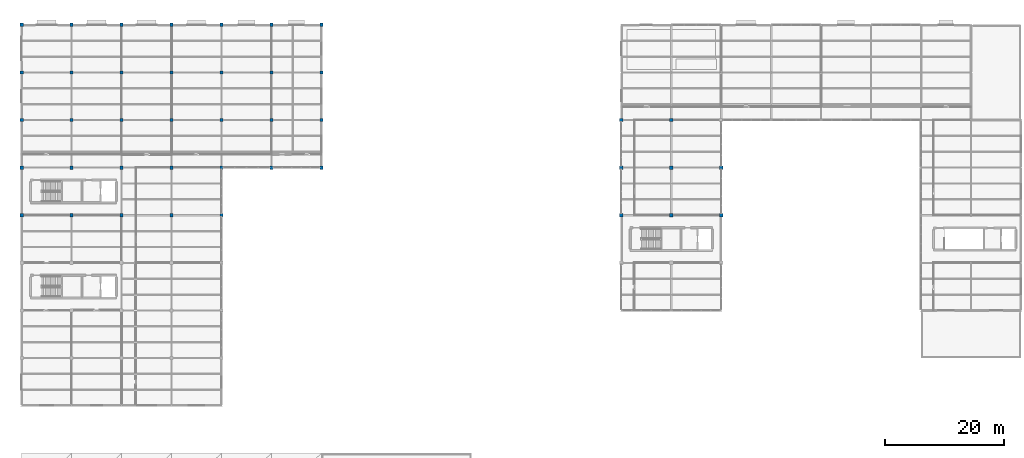
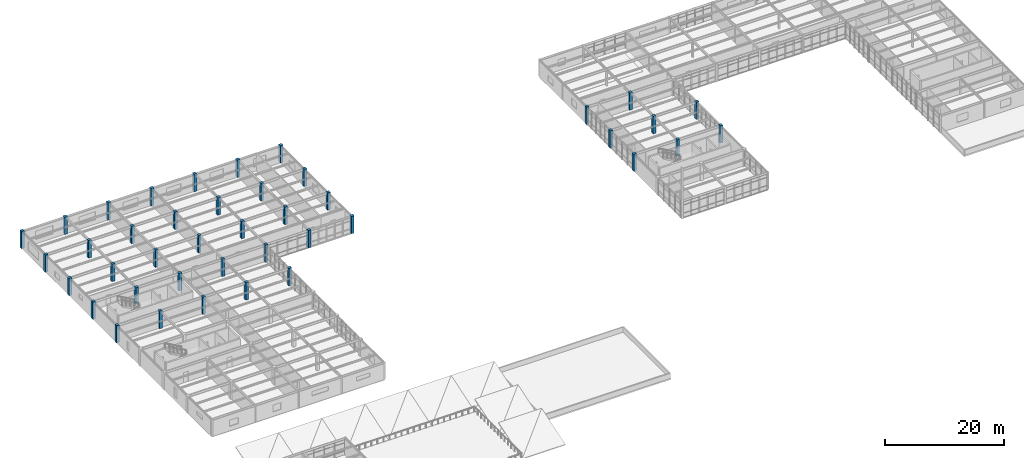
# One storey, part 5 of 53: 41 columns.
"""IFC4 building model written with IfcOpenShell, lengths in metres."""

from ifc_helpers import new_model, si_unit, direction, frame, origin, origin_2d, place, context, subcontext, project, spatial, rectangle, extrude, material, material_profile, profile_set, type_object, element, save


model = new_model("IFC4")

# Units and contexts
model_context = context("Model", 3, precision=1e-05, world=origin(), true_north=direction((0.0, 1.0)))
body_context = subcontext(model_context, "Body", "Model", "MODEL_VIEW")
ifc_project = project(units=[si_unit("LENGTHUNIT", "METRE"), si_unit("AREAUNIT", "SQUARE_METRE"), si_unit("VOLUMEUNIT", "CUBIC_METRE"), si_unit("PLANEANGLEUNIT", "RADIAN"), si_unit("MASSUNIT", "GRAM", prefix="KILO")], contexts=[model_context])

# Site, building, storey
site_placement = place(None, origin())
site = spatial("IfcSite", under=ifc_project, at=site_placement, CompositionType="ELEMENT")
building_placement = place(site_placement, origin())
building = spatial("IfcBuilding", under=site, at=building_placement, Name="Kranzveld Transit Interchange", CompositionType="ELEMENT")
storey_placement = place(building_placement, frame((0.0, 0.0, 13.360107421875)))
storey = spatial("IfcBuildingStorey", under=building, at=storey_placement, Name="L03", CompositionType="ELEMENT", Elevation=13.360107421875)

# Columns
ifc_material = material(Name="Concrete C35/45", Category="concrete")
ifc_material_profile = material_profile(ifc_material, rectangle(XDim=0.550048828125, YDim=0.550048828125, at=origin_2d()), Name="RC 550x550")
ifc_profile_set = profile_set([ifc_material_profile], Name="Concrete C35/45")
column_type = type_object("IfcColumnType", Name="Column RC 550x550 C35/45", PredefinedType="COLUMN", material=ifc_profile_set)
for number, where, z_axis, x_axis, name in (
    (1, (0.0, 80.0, 0.0), (0.0, 0.0, 1.0), (1.0, 0.0, 0.0), "L03 Column 01/L"),
    (2, (0.0, 88.0, 0.0), (0.0, 0.0, 1.0), (1.0, 0.0, 0.0), "L03 Column 01/M"),
    (3, (0.0, 96.0, 0.0), (0.0, 0.0, 1.0), (1.0, 0.0, 0.0), "L03 Column 01/N"),
    (4, (0.0, 104.0, 0.0), (0.0, 0.0, 1.0), (1.0, 0.0, 0.0), "L03 Column 01/P"),
    (5, (0.0, 112.0, 0.0), (0.0, 0.0, 1.0), (1.0, 0.0, 0.0), "L03 Column 01/Q"),
    (6, (8.39990234375, 80.0, 0.0), (0.0, 0.0, 1.0), (1.0, 0.0, 0.0), "L03 Column 02/L"),
    (7, (8.39990234375, 88.0, 0.0), (0.0, 0.0, 1.0), (1.0, 0.0, 0.0), "L03 Column 02/M"),
    (8, (8.39990234375, 96.0, 0.0), (0.0, 0.0, 1.0), (1.0, 0.0, 0.0), "L03 Column 02/N"),
    (9, (8.39990234375, 104.0, 0.0), (0.0, 0.0, 1.0), (1.0, 0.0, 0.0), "L03 Column 02/P"),
    (10, (8.39990234375, 112.0, 0.0), (0.0, 0.0, 1.0), (1.0, 0.0, 0.0), "L03 Column 02/Q"),
    (11, (16.800048828125, 80.0, 0.0), (0.0, 0.0, 1.0), (1.0, 0.0, 0.0), "L03 Column 03/L"),
    (12, (16.800048828125, 88.0, 0.0), (0.0, 0.0, 1.0), (1.0, 0.0, 0.0), "L03 Column 03/M"),
    (13, (16.800048828125, 96.0, 0.0), (0.0, 0.0, 1.0), (1.0, 0.0, 0.0), "L03 Column 03/N"),
    (14, (16.800048828125, 104.0, 0.0), (0.0, 0.0, 1.0), (1.0, 0.0, 0.0), "L03 Column 03/P"),
    (15, (16.800048828125, 112.0, 0.0), (0.0, 0.0, 1.0), (1.0, 0.0, 0.0), "L03 Column 03/Q"),
    (16, (25.199951171875, 80.0, 0.0), (0.0, 0.0, 1.0), (1.0, 0.0, 0.0), "L03 Column 04/L"),
    (17, (25.199951171875, 88.0, 0.0), (0.0, 0.0, 1.0), (1.0, 0.0, 0.0), "L03 Column 04/M"),
    (18, (25.199951171875, 96.0, 0.0), (0.0, 0.0, 1.0), (1.0, 0.0, 0.0), "L03 Column 04/N"),
    (19, (25.199951171875, 104.0, 0.0), (0.0, 0.0, 1.0), (1.0, 0.0, 0.0), "L03 Column 04/P"),
    (20, (25.199951171875, 112.0, 0.0), (0.0, 0.0, 1.0), (1.0, 0.0, 0.0), "L03 Column 04/Q"),
    (21, (33.60009765625, 80.0, 0.0), (0.0, 0.0, 1.0), (1.0, 0.0, 0.0), "L03 Column 05/L"),
    (22, (33.60009765625, 88.0, 0.0), (0.0, 0.0, 1.0), (1.0, 0.0, 0.0), "L03 Column 05/M"),
    (23, (33.60009765625, 96.0, 0.0), (0.0, 0.0, 1.0), (1.0, 0.0, 0.0), "L03 Column 05/N"),
    (24, (33.60009765625, 104.0, 0.0), (0.0, 0.0, 1.0), (1.0, 0.0, 0.0), "L03 Column 05/P"),
    (25, (33.60009765625, 112.0, 0.0), (0.0, 0.0, 1.0), (1.0, 0.0, 0.0), "L03 Column 05/Q"),
    (26, (42.0, 88.0, 0.0), (0.0, 0.0, 1.0), (1.0, 0.0, 0.0), "L03 Column 06/M"),
    (27, (42.0, 96.0, 0.0), (0.0, 0.0, 1.0), (1.0, 0.0, 0.0), "L03 Column 06/N"),
    (28, (42.0, 104.0, 0.0), (0.0, 0.0, 1.0), (1.0, 0.0, 0.0), "L03 Column 06/P"),
    (29, (42.0, 112.0, 0.0), (0.0, 0.0, 1.0), (1.0, 0.0, 0.0), "L03 Column 06/Q"),
    (30, (50.39990234375, 88.0, 0.0), (0.0, 0.0, 1.0), (1.0, 0.0, 0.0), "L03 Column 07/M"),
    (31, (50.39990234375, 96.0, 0.0), (0.0, 0.0, 1.0), (1.0, 0.0, 0.0), "L03 Column 07/N"),
    (32, (50.39990234375, 104.0, 0.0), (0.0, 0.0, 1.0), (1.0, 0.0, 0.0), "L03 Column 07/P"),
    (33, (50.39990234375, 112.0, 0.0), (0.0, 0.0, 1.0), (1.0, 0.0, 0.0), "L03 Column 07/Q"),
    (34, (100.800048828125, 80.0, 0.0), (0.0, 0.0, 1.0), (1.0, 0.0, 0.0), "L03 Column 13/L"),
    (35, (100.800048828125, 88.0, 0.0), (0.0, 0.0, 1.0), (1.0, 0.0, 0.0), "L03 Column 13/M"),
    (36, (100.800048828125, 96.0, 0.0), (0.0, 0.0, 1.0), (1.0, 0.0, 0.0), "L03 Column 13/N"),
    (37, (109.199951171875, 80.0, 0.0), (0.0, 0.0, 1.0), (1.0, 0.0, 0.0), "L03 Column 14/L"),
    (38, (109.199951171875, 88.0, 0.0), (0.0, 0.0, 1.0), (1.0, 0.0, 0.0), "L03 Column 14/M"),
    (39, (109.199951171875, 96.0, 0.0), (0.0, 0.0, 1.0), (1.0, 0.0, 0.0), "L03 Column 14/N"),
    (40, (117.60009765625, 80.0, 0.0), (0.0, 0.0, 1.0), (1.0, 0.0, 0.0), "L03 Column 15/L"),
    (41, (117.60009765625, 88.0, 0.0), (0.0, 0.0, 1.0), (1.0, 0.0, 0.0), "L03 Column 15/M"),
):
    element("IfcColumn", number, at=place(storey_placement, frame(where, z_axis=z_axis, x_axis=x_axis)), inside=storey, type_object=column_type, Name=name, PredefinedType="COLUMN", context=body_context, shape_type="SweptSolid", body=[
        extrude(rectangle(XDim=0.550048828125, YDim=0.550048828125, at=origin_2d()), origin(), (0.0, 0.0, 1.0), 3.579833984375),
    ])

save(model, "model.ifc")
